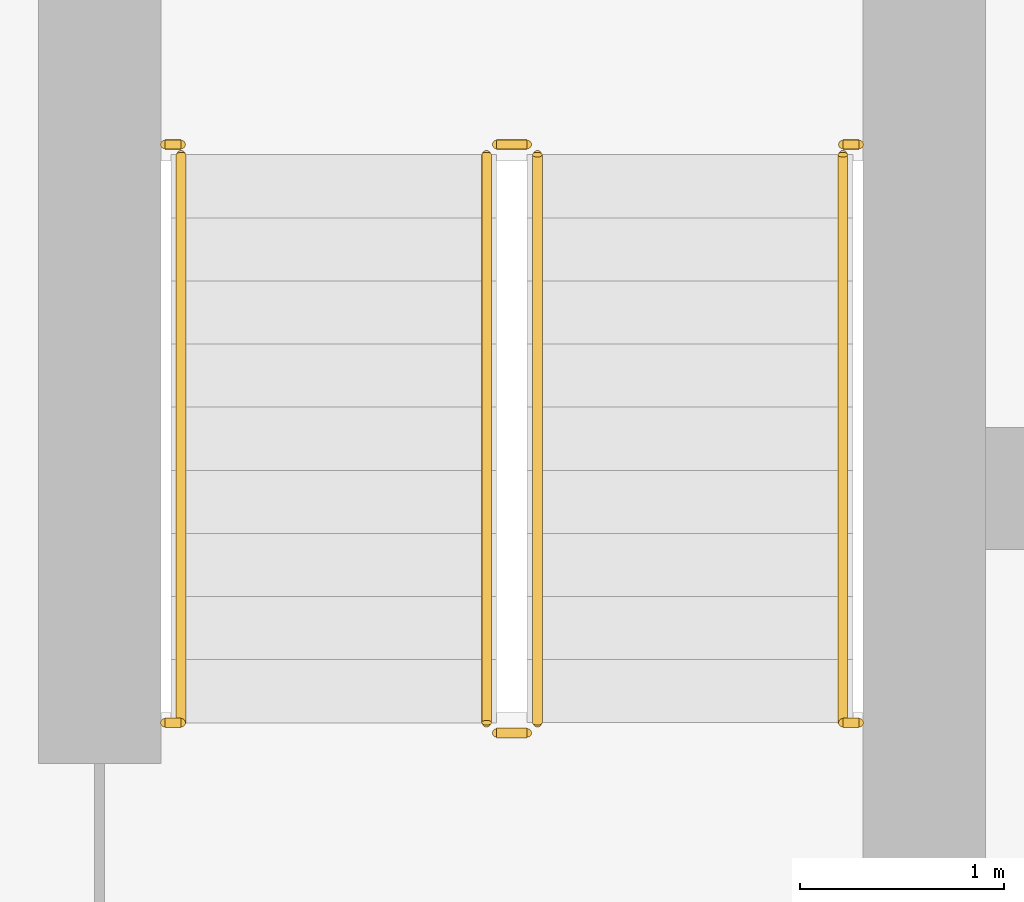
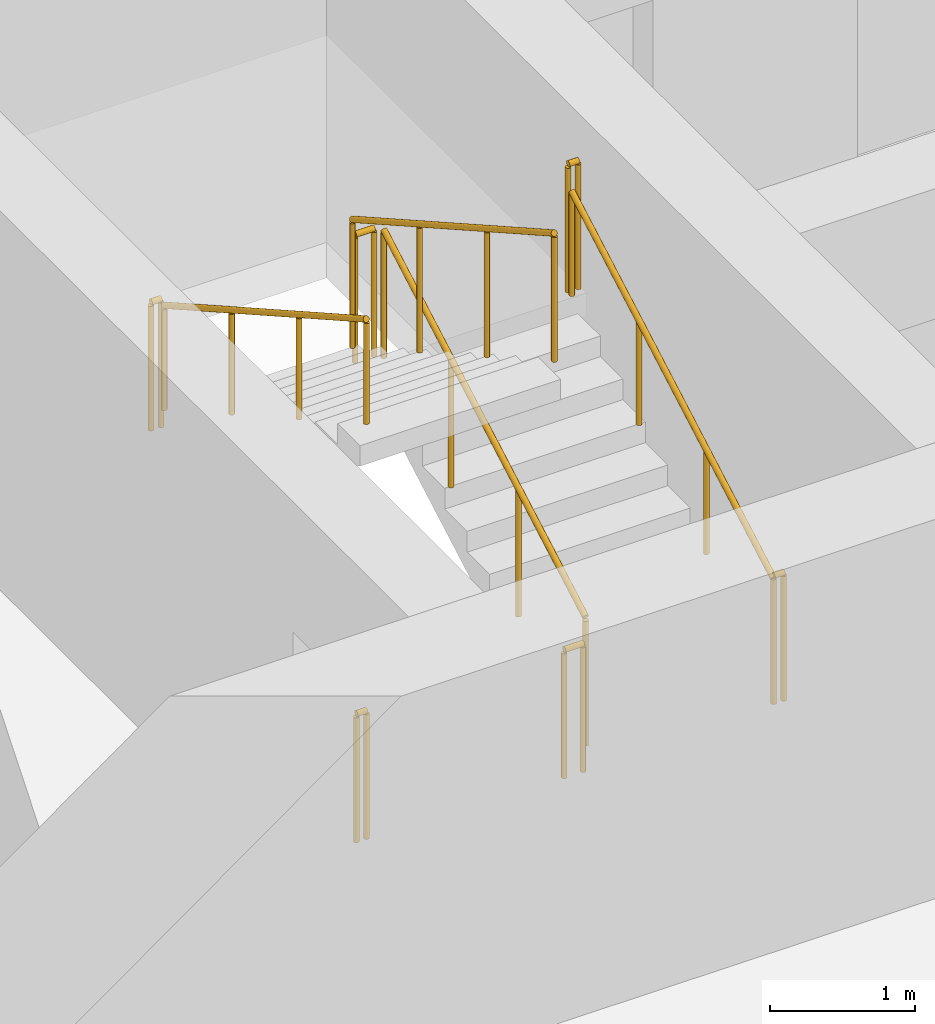
# One storey, part 18 of 22: 10 railings.
"""IFC4 building model written with IfcOpenShell, lengths in metres."""

from ifc_helpers import new_model, si_unit, direction, frame, origin, origin_2d, place, context, subcontext, project, spatial, circle, extrude, material, type_object, element, save


model = new_model("IFC4")

# Units and contexts
model_context = context("Model", 3, precision=1e-05, world=origin(), true_north=direction((0.0, 1.0)))
body_context = subcontext(model_context, "Body", "Model", "MODEL_VIEW")
ifc_project = project(units=[si_unit("LENGTHUNIT", "METRE"), si_unit("AREAUNIT", "SQUARE_METRE"), si_unit("VOLUMEUNIT", "CUBIC_METRE"), si_unit("PLANEANGLEUNIT", "RADIAN"), si_unit("MASSUNIT", "GRAM", prefix="KILO")], contexts=[model_context])

# Site, building, storey
site_placement = place(None, origin())
site = spatial("IfcSite", under=ifc_project, at=site_placement, CompositionType="ELEMENT")
building_placement = place(site_placement, origin())
building = spatial("IfcBuilding", under=site, at=building_placement, Name="Madar Terraces", CompositionType="ELEMENT")
storey_placement = place(building_placement, frame((0.0, 0.0, 166.5)))
storey = spatial("IfcBuildingStorey", under=building, at=storey_placement, Name="L43", CompositionType="ELEMENT", Elevation=166.5)

# Railings
ifc_material_1 = material(Name="Stainless steel railing", Category="steel")
railing_type_1 = type_object("IfcRailingType", Name="Stair guard 1100", PredefinedType="GUARDRAIL", material=ifc_material_1)
railing_1_placement = place(storey_placement, frame((21.199951171875, 17.60009765625, 0.175048828125)))
element("IfcRailing", 1, at=railing_1_placement, inside=storey, type_object=railing_type_1, Name="L43 ST1 stair guard 1", PredefinedType="GUARDRAIL", context=body_context, shape_type="SweptSolid", body=[
    extrude(circle(Radius=0.02392578125, at=origin_2d()), frame((0.0, 0.0, 1.076171875), z_axis=(0.0, 0.870815363784, 0.491610213684), x_axis=(-1.0, 0.0, 0.0)), (0.0, 0.0, 1.0), 3.20361328125),
    extrude(circle(Radius=0.02099609375, at=origin_2d()), origin(), (0.0, 0.0, 1.0), 1.052001953125),
    extrude(circle(Radius=0.02099609375, at=origin_2d()), frame((0.0, 0.929931640625, 0.52490234375)), (0.0, 0.0, 1.0), 1.052001953125),
    extrude(circle(Radius=0.02099609375, at=origin_2d()), frame((0.0, 1.85986328125, 1.050048828125)), (0.0, 0.0, 1.0), 1.052001953125),
    extrude(circle(Radius=0.02099609375, at=origin_2d()), frame((0.0, 2.789794921875, 1.574951171875)), (0.0, 0.0, 1.0), 1.052001953125),
])
railing_2_placement = place(storey_placement, frame((21.14990234375, 20.43994140625, 1.75)))
element("IfcRailing", 2, at=railing_2_placement, inside=storey, type_object=railing_type_1, Name="L43 ST1 stair guard 2", PredefinedType="GUARDRAIL", context=body_context, shape_type="SweptSolid", body=[
    extrude(circle(Radius=0.02392578125, at=origin_2d()), frame((0.0, 0.0, 1.076171875), z_axis=(-1.0, 0.0, 0.0), x_axis=(0.0, -1.0, 0.0)), (0.0, 0.0, 1.0), 0.14990234375),
    extrude(circle(Radius=0.02099609375, at=origin_2d()), origin(), (0.0, 0.0, 1.0), 1.052001953125),
    extrude(circle(Radius=0.02099609375, at=origin_2d()), frame((-0.14990234375, 0.0, 0.0)), (0.0, 0.0, 1.0), 1.052001953125),
])
railing_3_placement = place(storey_placement, frame((20.949951171875, 20.389892578125, 1.925048828125)))
element("IfcRailing", 3, at=railing_3_placement, inside=storey, type_object=railing_type_1, Name="L43 ST1 stair guard 3", PredefinedType="GUARDRAIL", context=body_context, shape_type="SweptSolid", body=[
    extrude(circle(Radius=0.02392578125, at=origin_2d()), frame((0.0, 0.0, 1.076171875), z_axis=(0.0, -0.870815363784, 0.491610213684), x_axis=(1.0, 0.0, 0.0)), (0.0, 0.0, 1.0), 3.20361328125),
    extrude(circle(Radius=0.02099609375, at=origin_2d()), origin(), (0.0, 0.0, 1.0), 1.052001953125),
    extrude(circle(Radius=0.02099609375, at=origin_2d()), frame((0.0, -0.929931640625, 0.52490234375)), (0.0, 0.0, 1.0), 1.052001953125),
    extrude(circle(Radius=0.02099609375, at=origin_2d()), frame((0.0, -1.85986328125, 1.050048828125)), (0.0, 0.0, 1.0), 1.052001953125),
    extrude(circle(Radius=0.02099609375, at=origin_2d()), frame((0.0, -2.789794921875, 1.574951171875)), (0.0, 0.0, 1.0), 1.052001953125),
])
railing_4_placement = place(storey_placement, frame((21.14990234375, 17.550048828125, 0.0)))
element("IfcRailing", 4, at=railing_4_placement, inside=storey, type_object=railing_type_1, Name="L43 ST1 stair guard 4", PredefinedType="GUARDRAIL", context=body_context, shape_type="SweptSolid", body=[
    extrude(circle(Radius=0.02392578125, at=origin_2d()), frame((0.0, 0.0, 1.076171875), z_axis=(-1.0, 0.0, 0.0), x_axis=(0.0, -1.0, 0.0)), (0.0, 0.0, 1.0), 0.14990234375),
    extrude(circle(Radius=0.02099609375, at=origin_2d()), origin(), (0.0, 0.0, 1.0), 1.052001953125),
    extrude(circle(Radius=0.02099609375, at=origin_2d()), frame((-0.14990234375, 0.0, 0.0)), (0.0, 0.0, 1.0), 1.052001953125),
])
railing_5_placement = place(storey_placement, frame((19.3701171875, 20.43994140625, 1.75)))
element("IfcRailing", 5, at=railing_5_placement, inside=storey, type_object=railing_type_1, Name="L43 stair guard seat 1", PredefinedType="GUARDRAIL", context=body_context, shape_type="SweptSolid", body=[
    extrude(circle(Radius=0.02392578125, at=origin_2d()), frame((0.0, 0.0, 1.076171875), z_axis=(1.0, 0.0, 0.0), x_axis=(0.0, 1.0, 0.0)), (0.0, 0.0, 1.0), 0.079833984375),
    extrude(circle(Radius=0.02099609375, at=origin_2d()), origin(), (0.0, 0.0, 1.0), 1.052001953125),
    extrude(circle(Radius=0.02099609375, at=origin_2d()), frame((0.079833984375, 0.0, 0.0)), (0.0, 0.0, 1.0), 1.052001953125),
])
railing_6_placement = place(storey_placement, frame((22.699951171875, 20.43994140625, 1.75)))
element("IfcRailing", 6, at=railing_6_placement, inside=storey, type_object=railing_type_1, Name="L43 stair guard seat 2", PredefinedType="GUARDRAIL", context=body_context, shape_type="SweptSolid", body=[
    extrude(circle(Radius=0.02392578125, at=origin_2d()), frame((0.0, 0.0, 1.076171875), z_axis=(1.0, 0.0, 0.0), x_axis=(0.0, 1.0, 0.0)), (0.0, 0.0, 1.0), 0.080078125),
    extrude(circle(Radius=0.02099609375, at=origin_2d()), origin(), (0.0, 0.0, 1.0), 1.052001953125),
    extrude(circle(Radius=0.02099609375, at=origin_2d()), frame((0.080078125, 0.0, 0.0)), (0.0, 0.0, 1.0), 1.052001953125),
])
railing_7_placement = place(storey_placement, frame((19.3701171875, 17.60009765625, 0.0)))
element("IfcRailing", 7, at=railing_7_placement, inside=storey, type_object=railing_type_1, Name="L43 stair guard floor 1", PredefinedType="GUARDRAIL", context=body_context, shape_type="SweptSolid", body=[
    extrude(circle(Radius=0.02392578125, at=origin_2d()), frame((0.0, 0.0, 1.076171875), z_axis=(1.0, 0.0, 0.0), x_axis=(0.0, 1.0, 0.0)), (0.0, 0.0, 1.0), 0.079833984375),
    extrude(circle(Radius=0.02099609375, at=origin_2d()), origin(), (0.0, 0.0, 1.0), 1.052001953125),
    extrude(circle(Radius=0.02099609375, at=origin_2d()), frame((0.079833984375, 0.0, 0.0)), (0.0, 0.0, 1.0), 1.052001953125),
])
railing_8_placement = place(storey_placement, frame((22.699951171875, 17.60009765625, 0.0)))
element("IfcRailing", 8, at=railing_8_placement, inside=storey, type_object=railing_type_1, Name="L43 stair guard floor 2", PredefinedType="GUARDRAIL", context=body_context, shape_type="SweptSolid", body=[
    extrude(circle(Radius=0.02392578125, at=origin_2d()), frame((0.0, 0.0, 1.076171875), z_axis=(1.0, 0.0, 0.0), x_axis=(0.0, 1.0, 0.0)), (0.0, 0.0, 1.0), 0.080078125),
    extrude(circle(Radius=0.02099609375, at=origin_2d()), origin(), (0.0, 0.0, 1.0), 1.052001953125),
    extrude(circle(Radius=0.02099609375, at=origin_2d()), frame((0.080078125, 0.0, 0.0)), (0.0, 0.0, 1.0), 1.052001953125),
])
ifc_material_2 = material(Name="Stainless steel railing", Category="steel")
railing_type_2 = type_object("IfcRailingType", Name="Stair handrail 900", PredefinedType="HANDRAIL", material=ifc_material_2)
railing_9_placement = place(storey_placement, frame((22.699951171875, 17.60009765625, 0.175048828125)))
element("IfcRailing", 9, at=railing_9_placement, inside=storey, type_object=railing_type_2, Name="L43 ST1 stair handrail 1", PredefinedType="HANDRAIL", context=body_context, shape_type="SweptSolid", body=[
    extrude(circle(Radius=0.02392578125, at=origin_2d()), frame((0.0, 0.0, 0.8759765625), z_axis=(0.0, 0.870815363784, 0.491610213684), x_axis=(-1.0, 0.0, 0.0)), (0.0, 0.0, 1.0), 3.20361328125),
    extrude(circle(Radius=0.02099609375, at=origin_2d()), origin(), (0.0, 0.0, 1.0), 0.851806640625),
    extrude(circle(Radius=0.02099609375, at=origin_2d()), frame((0.0, 0.929931640625, 0.52490234375)), (0.0, 0.0, 1.0), 0.851806640625),
    extrude(circle(Radius=0.02099609375, at=origin_2d()), frame((0.0, 1.85986328125, 1.050048828125)), (0.0, 0.0, 1.0), 0.851806640625),
    extrude(circle(Radius=0.02099609375, at=origin_2d()), frame((0.0, 2.789794921875, 1.574951171875)), (0.0, 0.0, 1.0), 0.851806640625),
])
railing_10_placement = place(storey_placement, frame((19.449951171875, 20.389892578125, 1.925048828125)))
element("IfcRailing", 10, at=railing_10_placement, inside=storey, type_object=railing_type_2, Name="L43 ST1 stair handrail 2", PredefinedType="HANDRAIL", context=body_context, shape_type="SweptSolid", body=[
    extrude(circle(Radius=0.02392578125, at=origin_2d()), frame((0.0, 0.0, 0.8759765625), z_axis=(0.0, -0.870815363784, 0.491610213684), x_axis=(1.0, 0.0, 0.0)), (0.0, 0.0, 1.0), 3.20361328125),
    extrude(circle(Radius=0.02099609375, at=origin_2d()), origin(), (0.0, 0.0, 1.0), 0.851806640625),
    extrude(circle(Radius=0.02099609375, at=origin_2d()), frame((0.0, -0.929931640625, 0.52490234375)), (0.0, 0.0, 1.0), 0.851806640625),
    extrude(circle(Radius=0.02099609375, at=origin_2d()), frame((0.0, -1.85986328125, 1.050048828125)), (0.0, 0.0, 1.0), 0.851806640625),
    extrude(circle(Radius=0.02099609375, at=origin_2d()), frame((0.0, -2.789794921875, 1.574951171875)), (0.0, 0.0, 1.0), 0.851806640625),
])

save(model, "model.ifc")
